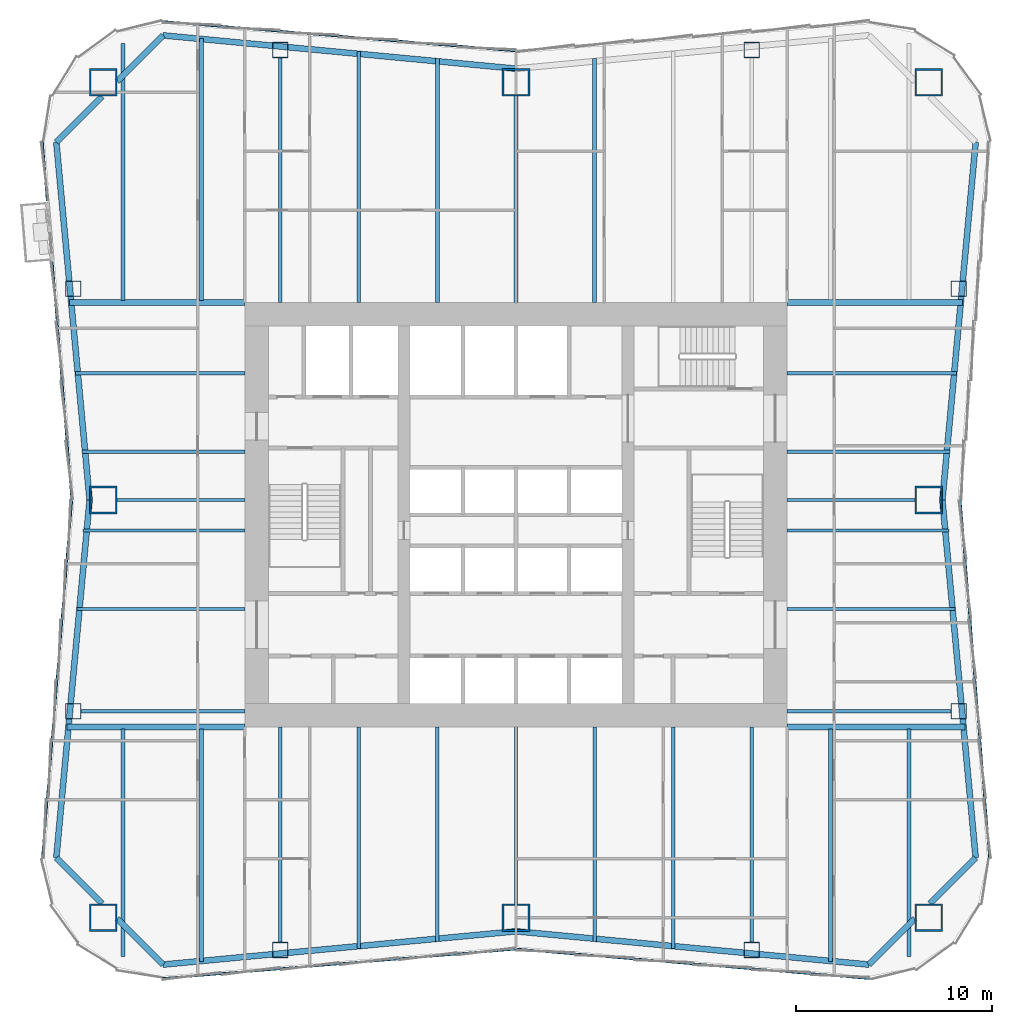
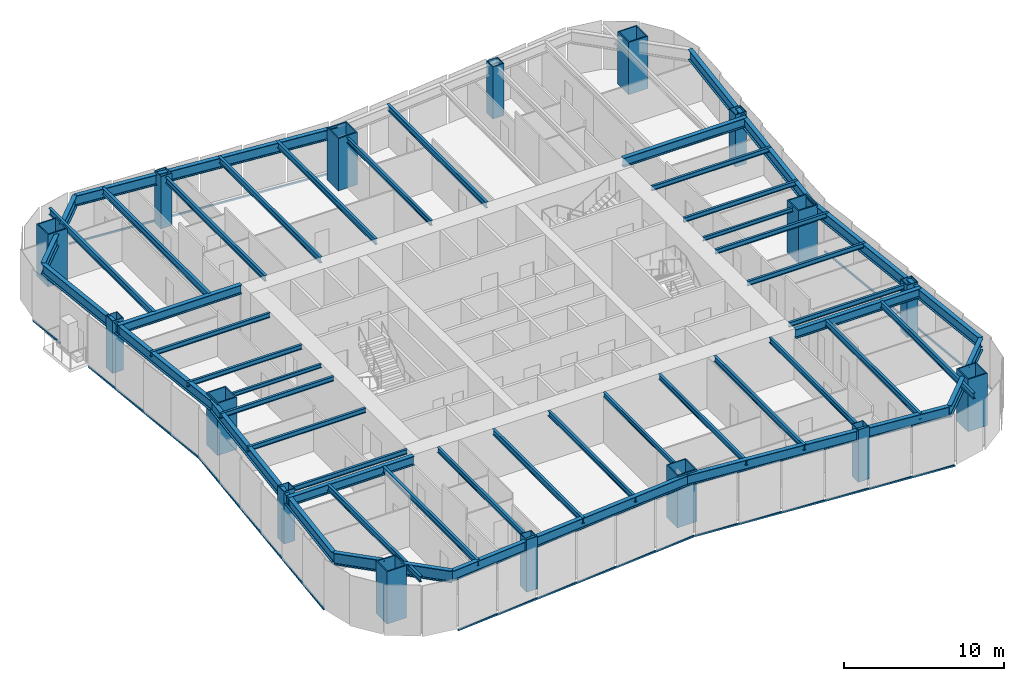
# One storey, part 1 of 9: 47 beams, 16 columns, 7 members, 4 elements without a shape of their own.
"""IFC4 building model written with IfcOpenShell, lengths in metres."""

from ifc_helpers import new_model, si_unit, direction, frame, origin, origin_2d, place, context, subcontext, project, spatial, rectangle, hollow_rectangle, i_section, extrude, material, material_profile, profile_set, type_object, element, aggregate, save


model = new_model("IFC4")

# Units and contexts
model_context = context("Model", 3, precision=1e-05, world=origin(), true_north=direction((0.0, 1.0)))
body_context = subcontext(model_context, "Body", "Model", "MODEL_VIEW")
ifc_project = project(units=[si_unit("LENGTHUNIT", "METRE"), si_unit("AREAUNIT", "SQUARE_METRE"), si_unit("VOLUMEUNIT", "CUBIC_METRE"), si_unit("PLANEANGLEUNIT", "RADIAN"), si_unit("MASSUNIT", "GRAM", prefix="KILO")], contexts=[model_context])

# Site, building, storey
site_placement = place(None, origin())
site = spatial("IfcSite", under=ifc_project, at=site_placement, CompositionType="ELEMENT")
building_placement = place(site_placement, origin())
building = spatial("IfcBuilding", under=site, at=building_placement, Name="Verdant Reach Tower", CompositionType="ELEMENT")
storey_placement = place(building_placement, frame((0.0, 0.0, 90.0)))
storey = spatial("IfcBuildingStorey", under=building, at=storey_placement, Name="L20", CompositionType="ELEMENT", Elevation=90.0)

# Columns
ifc_material_1 = material(Name="Steel S460", Category="steel")
ifc_material_profile_1 = material_profile(ifc_material_1, hollow_rectangle(XDim=1.39990234375, YDim=1.39990234375, WallThickness=0.080078125, at=origin_2d()), Name="WB 1400x1400x80")
ifc_profile_set_1 = profile_set([ifc_material_profile_1], Name="Steel S460")
column_type_1 = type_object("IfcColumnType", Name="ST-COL-WB1400x1400x80", PredefinedType="COLUMN", material=ifc_profile_set_1)
for number, where, z_axis, x_axis, name in (
    (1, (-21.0, 50.0, 0.0), (0.0, 0.0, 1.0), (1.0, 0.0, 0.0), "Mega column north-west, L20"),
    (2, (0.0, 50.0, 0.0), (0.0, 0.0, 1.0), (1.0, 0.0, 0.0), "Mega column north, L20"),
    (3, (21.0, 50.0, 0.0), (0.0, 0.0, 1.0), (1.0, 0.0, 0.0), "Mega column north-east, L20"),
    (4, (21.0, 28.75, 0.0), (0.0, 0.0, 1.0), (1.0, 0.0, 0.0), "Mega column east, L20"),
    (5, (21.0, 7.5, 0.0), (0.0, 0.0, 1.0), (1.0, 0.0, 0.0), "Mega column south-east, L20"),
    (6, (0.0, 7.5, 0.0), (0.0, 0.0, 1.0), (1.0, 0.0, 0.0), "Mega column south, L20"),
    (7, (-21.0, 7.5, 0.0), (0.0, 0.0, 1.0), (1.0, 0.0, 0.0), "Mega column south-west, L20"),
    (8, (-21.0, 28.75, 0.0), (0.0, 0.0, 1.0), (1.0, 0.0, 0.0), "Mega column west, L20"),
):
    element("IfcColumn", number, at=place(storey_placement, frame(where, z_axis=z_axis, x_axis=x_axis)), inside=storey, type_object=column_type_1, Name=name, PredefinedType="COLUMN", context=body_context, shape_type="SweptSolid", body=[
        extrude(hollow_rectangle(XDim=1.39990234375, YDim=1.39990234375, WallThickness=0.080078125, at=origin_2d()), origin(), (0.0, 0.0, 1.0), 4.0),
    ])
ifc_material_profile_2 = material_profile(ifc_material_1, hollow_rectangle(XDim=0.800048828125, YDim=0.800048828125, WallThickness=0.0400390625, at=origin_2d()), Name="WB 800x800x40")
ifc_profile_set_2 = profile_set([ifc_material_profile_2], Name="Steel S460")
column_type_2 = type_object("IfcColumnType", Name="ST-COL-WB800x800x40", PredefinedType="COLUMN", material=ifc_profile_set_2)
for number, where, z_axis, x_axis, name in (
    (9, (-12.0, 51.64990234375, 0.0), (0.0, 0.0, 1.0), (1.0, 0.0, 0.0), "Perimeter column north 1, L20"),
    (10, (12.0, 51.64990234375, 0.0), (0.0, 0.0, 1.0), (1.0, 0.0, 0.0), "Perimeter column north 2, L20"),
    (11, (-12.0, 5.85009765625, 0.0), (0.0, 0.0, 1.0), (1.0, 0.0, 0.0), "Perimeter column south 1, L20"),
    (12, (12.0, 5.85009765625, 0.0), (0.0, 0.0, 1.0), (1.0, 0.0, 0.0), "Perimeter column south 2, L20"),
    (13, (22.53369140625, 18.0, 0.0), (0.0, 0.0, 1.0), (1.0, 0.0, 0.0), "Perimeter column east 1, L20"),
    (14, (22.53369140625, 39.5, 0.0), (0.0, 0.0, 1.0), (1.0, 0.0, 0.0), "Perimeter column east 2, L20"),
    (15, (-22.53369140625, 18.0, 0.0), (0.0, 0.0, 1.0), (1.0, 0.0, 0.0), "Perimeter column west 1, L20"),
    (16, (-22.53369140625, 39.5, 0.0), (0.0, 0.0, 1.0), (1.0, 0.0, 0.0), "Perimeter column west 2, L20"),
):
    element("IfcColumn", number, at=place(storey_placement, frame(where, z_axis=z_axis, x_axis=x_axis)), inside=storey, type_object=column_type_2, Name=name, PredefinedType="COLUMN", context=body_context, shape_type="SweptSolid", body=[
        extrude(hollow_rectangle(XDim=0.800048828125, YDim=0.800048828125, WallThickness=0.0400390625, at=origin_2d()), origin(), (0.0, 0.0, 1.0), 4.0),
    ])

# Curtain wall, member
ifc_material_2 = material(Name="Anodised aluminium", Category="aluminium")
curtain_wall_type = type_object("IfcCurtainWallType", Name="EN-CW SYSTEM Z1", PredefinedType="NOTDEFINED", material=ifc_material_2)
curtain_wall_1_placement = place(storey_placement, origin())
curtain_wall_1 = element("IfcCurtainWall", 17, at=curtain_wall_1_placement, inside=storey, type_object=curtain_wall_type, Name="Curtain wall east, L20", PredefinedType="NOTDEFINED")
ifc_material_profile_3 = material_profile(ifc_material_2, rectangle(XDim=0.10009765625, YDim=0.1220703125, at=origin_2d()), Name="Transom 122x100")
ifc_profile_set_3 = profile_set([ifc_material_profile_3], Name="Anodised aluminium")
member_type = type_object("IfcMemberType", Name="EN-TRANSOM Z1", PredefinedType="USERDEFINED", material=ifc_profile_set_3)
member_1_placement = place(storey_placement, frame((24.100341796875, 10.52490234375, -0.2890625), z_axis=(-0.081886623329, 0.996641651207, 0.0), x_axis=(-0.996641651207, -0.081886623329, 0.0)))
member_1 = element("IfcMember", 18, at=member_1_placement, type_object=member_type, Name="Transom east face part 1 1.1, L20", ObjectType="TRANSOM", PredefinedType="USERDEFINED", context=body_context, shape_type="SweptSolid", body=[
    extrude(rectangle(XDim=0.10009765625, YDim=0.1220703125, at=origin_2d()), origin(), (0.0, 0.0, 1.0), 18.25537109375),
])
aggregate(curtain_wall_1, [member_1])

curtain_wall_2_placement = place(storey_placement, origin())
curtain_wall_2 = element("IfcCurtainWall", 19, at=curtain_wall_2_placement, inside=storey, type_object=curtain_wall_type, Name="Curtain wall north, L20", PredefinedType="NOTDEFINED")
member_2_placement = place(storey_placement, frame((-0.031005859375, 51.60546875, -0.2890625), z_axis=(-0.996547815143, 0.083020793384, 0.0), x_axis=(-0.083020793384, -0.996547815143, 0.0)))
member_2 = element("IfcMember", 20, at=member_2_placement, type_object=member_type, Name="Transom north face part 2 1.1, L20", ObjectType="TRANSOM", PredefinedType="USERDEFINED", context=body_context, shape_type="SweptSolid", body=[
    extrude(rectangle(XDim=0.10009765625, YDim=0.1220703125, at=origin_2d()), origin(), (0.0, 0.0, 1.0), 18.006103515625),
])
aggregate(curtain_wall_2, [member_2])

# Curtain wall, members
curtain_wall_3_placement = place(storey_placement, origin())
curtain_wall_3 = element("IfcCurtainWall", 21, at=curtain_wall_3_placement, inside=storey, type_object=curtain_wall_type, Name="Curtain wall west, L20", PredefinedType="NOTDEFINED")
member_3_placement = place(storey_placement, frame((-24.100341796875, 46.97509765625, -0.2890625), z_axis=(0.081586055135, -0.996666301029, 0.0), x_axis=(0.996666301029, 0.081586055135, 0.0)))
member_3 = element("IfcMember", 22, at=member_3_placement, type_object=member_type, Name="Transom west face part 1 1.1, L20", ObjectType="TRANSOM", PredefinedType="USERDEFINED", context=body_context, shape_type="SweptSolid", body=[
    extrude(rectangle(XDim=0.10009765625, YDim=0.1220703125, at=origin_2d()), origin(), (0.0, 0.0, 1.0), 3.00439453125),
])
member_4_placement = place(storey_placement, frame((-23.60009765625, 40.87744140625, -0.2890625), z_axis=(0.081948400518, -0.996636573507, 0.0), x_axis=(0.996636573507, 0.081948400518, 0.0)))
member_4 = element("IfcMember", 23, at=member_4_placement, type_object=member_type, Name="Transom west face part 1 2.1, L20", ObjectType="TRANSOM", PredefinedType="USERDEFINED", context=body_context, shape_type="SweptSolid", body=[
    extrude(rectangle(XDim=0.10009765625, YDim=0.1220703125, at=origin_2d()), origin(), (0.0, 0.0, 1.0), 12.13720703125),
])
member_5_placement = place(storey_placement, frame((-22.60546875, 28.718994140625, -0.2890625), z_axis=(-0.081886623329, -0.996641651207, 0.0), x_axis=(0.996641651207, -0.081886623329, 0.0)))
member_5 = element("IfcMember", 24, at=member_5_placement, type_object=member_type, Name="Transom west face part 2 1.1, L20", ObjectType="TRANSOM", PredefinedType="USERDEFINED", context=body_context, shape_type="SweptSolid", body=[
    extrude(rectangle(XDim=0.10009765625, YDim=0.1220703125, at=origin_2d()), origin(), (0.0, 0.0, 1.0), 18.25537109375),
])
aggregate(curtain_wall_3, [member_3, member_4, member_5])

curtain_wall_4_placement = place(storey_placement, origin())
curtain_wall_4 = element("IfcCurtainWall", 25, at=curtain_wall_4_placement, inside=storey, type_object=curtain_wall_type, Name="Curtain wall south, L20", PredefinedType="NOTDEFINED")
member_6_placement = place(storey_placement, frame((-17.974853515625, 4.399658203125, -0.2890625), z_axis=(0.996547815143, 0.083020793384, 0.0), x_axis=(-0.083020793384, 0.996547815143, 0.0)))
member_6 = element("IfcMember", 26, at=member_6_placement, type_object=member_type, Name="Transom south face part 1 1.1, L20", ObjectType="TRANSOM", PredefinedType="USERDEFINED", context=body_context, shape_type="SweptSolid", body=[
    extrude(rectangle(XDim=0.10009765625, YDim=0.1220703125, at=origin_2d()), origin(), (0.0, 0.0, 1.0), 18.006103515625),
])
member_7_placement = place(storey_placement, frame((0.031005859375, 5.89453125, -0.2890625), z_axis=(0.996547815143, -0.083020793384, 0.0), x_axis=(0.083020793384, 0.996547815143, 0.0)))
member_7 = element("IfcMember", 27, at=member_7_placement, type_object=member_type, Name="Transom south face part 2 1.1, L20", ObjectType="TRANSOM", PredefinedType="USERDEFINED", context=body_context, shape_type="SweptSolid", body=[
    extrude(rectangle(XDim=0.10009765625, YDim=0.1220703125, at=origin_2d()), origin(), (0.0, 0.0, 1.0), 18.006103515625),
])
aggregate(curtain_wall_4, [member_6, member_7])

# Beams
ifc_material_3 = material(Name="Steel S355", Category="steel")
ifc_material_profile_4 = material_profile(ifc_material_3, i_section(OverallWidth=0.300048828125, OverallDepth=0.699951171875, WebThickness=0.01708984375, FlangeThickness=0.031982421875, FilletRadius=0.027099609375, at=origin_2d()), Name="HEB 700")
ifc_profile_set_4 = profile_set([ifc_material_profile_4], Name="Steel S355")
beam_type_1 = type_object("IfcBeamType", Name="ST-BEAM-HEB700", PredefinedType="BEAM", material=ifc_profile_set_4)
for number, where, z_axis, x_axis, name in (
    (28, (13.800048828125, 38.800048828125, 3.52001953125), (1.0, 0.0, 0.0), (0.0, 1.0, 0.0), "Trimmer beam, L20"),
    (29, (-13.800048828125, 38.800048828125, 3.52001953125), (-1.0, 0.0, 0.0), (0.0, -1.0, 0.0), "Trimmer beam, L20"),
):
    element("IfcBeam", number, at=place(storey_placement, frame(where, z_axis=z_axis, x_axis=x_axis)), inside=storey, type_object=beam_type_1, Name=name, PredefinedType="BEAM", context=body_context, shape_type="SweptSolid", body=[
        extrude(i_section(OverallWidth=0.300048828125, OverallDepth=0.699951171875, WebThickness=0.01708984375, FlangeThickness=0.031982421875, FilletRadius=0.027099609375, at=origin_2d()), origin(), (0.0, 0.0, 1.0), 8.924072265625),
    ])
for number, where, z_axis, x_axis, name in (
    (30, (13.800048828125, 17.199951171875, 3.52001953125), (1.0, 0.0, 0.0), (0.0, 1.0, 0.0), "Trimmer beam, L20"),
    (31, (-13.800048828125, 17.199951171875, 3.52001953125), (-1.0, 0.0, 0.0), (0.0, -1.0, 0.0), "Trimmer beam, L20"),
):
    element("IfcBeam", number, at=place(storey_placement, frame(where, z_axis=z_axis, x_axis=x_axis)), inside=storey, type_object=beam_type_1, Name=name, PredefinedType="BEAM", context=body_context, shape_type="SweptSolid", body=[
        extrude(i_section(OverallWidth=0.300048828125, OverallDepth=0.699951171875, WebThickness=0.01708984375, FlangeThickness=0.031982421875, FilletRadius=0.027099609375, at=origin_2d()), origin(), (0.0, 0.0, 1.0), 9.04736328125),
    ])
ifc_material_profile_5 = material_profile(ifc_material_3, i_section(OverallWidth=0.14990234375, OverallDepth=0.300048828125, WebThickness=0.007080078125, FlangeThickness=0.0107421875, FilletRadius=0.014892578125, at=origin_2d()), Name="IPE 300")
ifc_profile_set_5 = profile_set([ifc_material_profile_5], Name="Steel S355")
beam_type_2 = type_object("IfcBeamType", Name="ST-JOIST-IPE300", PredefinedType="JOIST", material=ifc_profile_set_5)
for number, where, z_axis, x_axis, name in (
    (32, (13.800048828125, 28.75, 3.719970703125), (1.0, 0.0, 0.0), (0.0, 1.0, 0.0), "Floor joist, L20"),
    (33, (-13.800048828125, 28.75, 3.719970703125), (-1.0, 0.0, 0.0), (0.0, -1.0, 0.0), "Floor joist, L20"),
):
    element("IfcBeam", number, at=place(storey_placement, frame(where, z_axis=z_axis, x_axis=x_axis)), inside=storey, type_object=beam_type_2, Name=name, PredefinedType="JOIST", context=body_context, shape_type="SweptSolid", body=[
        extrude(i_section(OverallWidth=0.14990234375, OverallDepth=0.300048828125, WebThickness=0.007080078125, FlangeThickness=0.0107421875, FilletRadius=0.014892578125, at=origin_2d()), origin(), (0.0, 0.0, 1.0), 6.5),
    ])
ifc_material_profile_6 = material_profile(ifc_material_3, i_section(OverallWidth=0.169921875, OverallDepth=0.360107421875, WebThickness=0.008056640625, FlangeThickness=0.0126953125, FilletRadius=0.01806640625, at=origin_2d()), Name="IPE 360")
ifc_profile_set_6 = profile_set([ifc_material_profile_6], Name="Steel S355")
beam_type_3 = type_object("IfcBeamType", Name="ST-JOIST-IPE360", PredefinedType="JOIST", material=ifc_profile_set_6)
beam_1_placement = place(storey_placement, frame((0.0, 17.199951171875, 3.68994140625), z_axis=(0.0, -1.0, 0.0), x_axis=(1.0, 0.0, 0.0)))
element("IfcBeam", 34, at=beam_1_placement, inside=storey, type_object=beam_type_3, Name="Floor joist, L20", PredefinedType="JOIST", context=body_context, shape_type="SweptSolid", body=[
    extrude(i_section(OverallWidth=0.169921875, OverallDepth=0.360107421875, WebThickness=0.008056640625, FlangeThickness=0.0126953125, FilletRadius=0.01806640625, at=origin_2d()), origin(), (0.0, 0.0, 1.0), 9.0),
])
for number, where, z_axis, x_axis, name in (
    (35, (13.800048828125, 18.0, 3.68994140625), (1.0, 0.0, 0.0), (0.0, 1.0, 0.0), "Floor joist, L20"),
    (36, (-13.800048828125, 18.0, 3.68994140625), (-1.0, 0.0, 0.0), (0.0, -1.0, 0.0), "Floor joist, L20"),
):
    element("IfcBeam", number, at=place(storey_placement, frame(where, z_axis=z_axis, x_axis=x_axis)), inside=storey, type_object=beam_type_3, Name=name, PredefinedType="JOIST", context=body_context, shape_type="SweptSolid", body=[
        extrude(i_section(OverallWidth=0.169921875, OverallDepth=0.360107421875, WebThickness=0.008056640625, FlangeThickness=0.0126953125, FilletRadius=0.01806640625, at=origin_2d()), origin(), (0.0, 0.0, 1.0), 8.33349609375),
    ])
for number, where, z_axis, x_axis, name in (
    (37, (13.800048828125, 23.199951171875, 3.68994140625), (1.0, 0.0, 0.0), (0.0, 1.0, 0.0), "Floor joist, L20"),
    (38, (-13.800048828125, 23.199951171875, 3.68994140625), (-1.0, 0.0, 0.0), (0.0, -1.0, 0.0), "Floor joist, L20"),
):
    element("IfcBeam", number, at=place(storey_placement, frame(where, z_axis=z_axis, x_axis=x_axis)), inside=storey, type_object=beam_type_3, Name=name, PredefinedType="JOIST", context=body_context, shape_type="SweptSolid", body=[
        extrude(i_section(OverallWidth=0.169921875, OverallDepth=0.360107421875, WebThickness=0.008056640625, FlangeThickness=0.0126953125, FilletRadius=0.01806640625, at=origin_2d()), origin(), (0.0, 0.0, 1.0), 8.553955078125),
    ])
for number, where, z_axis, x_axis, name in (
    (39, (13.800048828125, 27.199951171875, 3.68994140625), (1.0, 0.0, 0.0), (0.0, 1.0, 0.0), "Floor joist, L20"),
    (40, (-13.800048828125, 27.199951171875, 3.68994140625), (-1.0, 0.0, 0.0), (0.0, -1.0, 0.0), "Floor joist, L20"),
):
    element("IfcBeam", number, at=place(storey_placement, frame(where, z_axis=z_axis, x_axis=x_axis)), inside=storey, type_object=beam_type_3, Name=name, PredefinedType="JOIST", context=body_context, shape_type="SweptSolid", body=[
        extrude(i_section(OverallWidth=0.169921875, OverallDepth=0.360107421875, WebThickness=0.008056640625, FlangeThickness=0.0126953125, FilletRadius=0.01806640625, at=origin_2d()), origin(), (0.0, 0.0, 1.0), 8.225341796875),
    ])
for number, where, z_axis, x_axis, name in (
    (41, (13.800048828125, 31.199951171875, 3.68994140625), (1.0, 0.0, 0.0), (0.0, 1.0, 0.0), "Floor joist, L20"),
    (42, (-13.800048828125, 31.199951171875, 3.68994140625), (-1.0, 0.0, 0.0), (0.0, -1.0, 0.0), "Floor joist, L20"),
):
    element("IfcBeam", number, at=place(storey_placement, frame(where, z_axis=z_axis, x_axis=x_axis)), inside=storey, type_object=beam_type_3, Name=name, PredefinedType="JOIST", context=body_context, shape_type="SweptSolid", body=[
        extrude(i_section(OverallWidth=0.169921875, OverallDepth=0.360107421875, WebThickness=0.008056640625, FlangeThickness=0.0126953125, FilletRadius=0.01806640625, at=origin_2d()), origin(), (0.0, 0.0, 1.0), 8.29931640625),
    ])
for number, where, z_axis, x_axis, name in (
    (43, (13.800048828125, 35.199951171875, 3.68994140625), (1.0, 0.0, 0.0), (0.0, 1.0, 0.0), "Floor joist, L20"),
    (44, (-13.800048828125, 35.199951171875, 3.68994140625), (-1.0, 0.0, 0.0), (0.0, -1.0, 0.0), "Floor joist, L20"),
):
    element("IfcBeam", number, at=place(storey_placement, frame(where, z_axis=z_axis, x_axis=x_axis)), inside=storey, type_object=beam_type_3, Name=name, PredefinedType="JOIST", context=body_context, shape_type="SweptSolid", body=[
        extrude(i_section(OverallWidth=0.169921875, OverallDepth=0.360107421875, WebThickness=0.008056640625, FlangeThickness=0.0126953125, FilletRadius=0.01806640625, at=origin_2d()), origin(), (0.0, 0.0, 1.0), 8.6279296875),
    ])
ifc_material_profile_7 = material_profile(ifc_material_3, i_section(OverallWidth=0.179931640625, OverallDepth=0.39990234375, WebThickness=0.008544921875, FlangeThickness=0.013427734375, FilletRadius=0.02099609375, at=origin_2d()), Name="IPE 400")
ifc_profile_set_7 = profile_set([ifc_material_profile_7], Name="Steel S355")
beam_type_4 = type_object("IfcBeamType", Name="ST-JOIST-IPE400", PredefinedType="JOIST", material=ifc_profile_set_7)
beam_2_placement = place(storey_placement, frame((-12.0, 17.199951171875, 3.669921875), z_axis=(0.0, -1.0, 0.0), x_axis=(1.0, 0.0, 0.0)))
element("IfcBeam", 45, at=beam_2_placement, inside=storey, type_object=beam_type_4, Name="Floor joist, L20", PredefinedType="JOIST", context=body_context, shape_type="SweptSolid", body=[
    extrude(i_section(OverallWidth=0.179931640625, OverallDepth=0.39990234375, WebThickness=0.008544921875, FlangeThickness=0.013427734375, FilletRadius=0.02099609375, at=origin_2d()), origin(), (0.0, 0.0, 1.0), 10.949951171875),
])
beam_3_placement = place(storey_placement, frame((-4.0, 17.199951171875, 3.669921875), z_axis=(0.0, -1.0, 0.0), x_axis=(1.0, 0.0, 0.0)))
element("IfcBeam", 46, at=beam_3_placement, inside=storey, type_object=beam_type_4, Name="Floor joist, L20", PredefinedType="JOIST", context=body_context, shape_type="SweptSolid", body=[
    extrude(i_section(OverallWidth=0.179931640625, OverallDepth=0.39990234375, WebThickness=0.008544921875, FlangeThickness=0.013427734375, FilletRadius=0.02099609375, at=origin_2d()), origin(), (0.0, 0.0, 1.0), 10.93115234375),
])
beam_4_placement = place(storey_placement, frame((0.0, 38.800048828125, 3.669921875), z_axis=(0.0, 1.0, 0.0), x_axis=(-1.0, 0.0, 0.0)))
element("IfcBeam", 47, at=beam_4_placement, inside=storey, type_object=beam_type_4, Name="Floor joist, L20", PredefinedType="JOIST", context=body_context, shape_type="SweptSolid", body=[
    extrude(i_section(OverallWidth=0.179931640625, OverallDepth=0.39990234375, WebThickness=0.008544921875, FlangeThickness=0.013427734375, FilletRadius=0.02099609375, at=origin_2d()), origin(), (0.0, 0.0, 1.0), 10.5),
])
beam_5_placement = place(storey_placement, frame((4.0, 17.199951171875, 3.669921875), z_axis=(0.0, -1.0, 0.0), x_axis=(1.0, 0.0, 0.0)))
element("IfcBeam", 48, at=beam_5_placement, inside=storey, type_object=beam_type_4, Name="Floor joist, L20", PredefinedType="JOIST", context=body_context, shape_type="SweptSolid", body=[
    extrude(i_section(OverallWidth=0.179931640625, OverallDepth=0.39990234375, WebThickness=0.008544921875, FlangeThickness=0.013427734375, FilletRadius=0.02099609375, at=origin_2d()), origin(), (0.0, 0.0, 1.0), 10.93115234375),
])
beam_6_placement = place(storey_placement, frame((12.0, 17.199951171875, 3.669921875), z_axis=(0.0, -1.0, 0.0), x_axis=(1.0, 0.0, 0.0)))
element("IfcBeam", 49, at=beam_6_placement, inside=storey, type_object=beam_type_4, Name="Floor joist, L20", PredefinedType="JOIST", context=body_context, shape_type="SweptSolid", body=[
    extrude(i_section(OverallWidth=0.179931640625, OverallDepth=0.39990234375, WebThickness=0.008544921875, FlangeThickness=0.013427734375, FilletRadius=0.02099609375, at=origin_2d()), origin(), (0.0, 0.0, 1.0), 10.949951171875),
])
ifc_material_profile_8 = material_profile(ifc_material_3, i_section(OverallWidth=0.18994140625, OverallDepth=0.449951171875, WebThickness=0.009521484375, FlangeThickness=0.0146484375, FilletRadius=0.02099609375, at=origin_2d()), Name="IPE 450")
ifc_profile_set_8 = profile_set([ifc_material_profile_8], Name="Steel S355")
beam_type_5 = type_object("IfcBeamType", Name="ST-JOIST-IPE450", PredefinedType="JOIST", material=ifc_profile_set_8)
beam_7_placement = place(storey_placement, frame((-20.0, 17.10009765625, 3.64501953125), z_axis=(0.0, -1.0, 0.0), x_axis=(1.0, 0.0, 0.0)))
element("IfcBeam", 50, at=beam_7_placement, inside=storey, type_object=beam_type_5, Name="Floor joist, L20", PredefinedType="JOIST", context=body_context, shape_type="SweptSolid", body=[
    extrude(i_section(OverallWidth=0.18994140625, OverallDepth=0.449951171875, WebThickness=0.009521484375, FlangeThickness=0.0146484375, FilletRadius=0.02099609375, at=origin_2d()), origin(), (0.0, 0.0, 1.0), 11.590576171875),
])
beam_8_placement = place(storey_placement, frame((-16.0, 17.10009765625, 3.64501953125), z_axis=(0.0, -1.0, 0.0), x_axis=(1.0, 0.0, 0.0)))
element("IfcBeam", 51, at=beam_8_placement, inside=storey, type_object=beam_type_5, Name="Floor joist, L20", PredefinedType="JOIST", context=body_context, shape_type="SweptSolid", body=[
    extrude(i_section(OverallWidth=0.18994140625, OverallDepth=0.449951171875, WebThickness=0.009521484375, FlangeThickness=0.0146484375, FilletRadius=0.02099609375, at=origin_2d()), origin(), (0.0, 0.0, 1.0), 11.831298828125),
])
beam_9_placement = place(storey_placement, frame((-12.0, 38.800048828125, 3.64501953125), z_axis=(0.0, 1.0, 0.0), x_axis=(-1.0, 0.0, 0.0)))
element("IfcBeam", 52, at=beam_9_placement, inside=storey, type_object=beam_type_5, Name="Floor joist, L20", PredefinedType="JOIST", context=body_context, shape_type="SweptSolid", body=[
    extrude(i_section(OverallWidth=0.18994140625, OverallDepth=0.449951171875, WebThickness=0.009521484375, FlangeThickness=0.0146484375, FilletRadius=0.02099609375, at=origin_2d()), origin(), (0.0, 0.0, 1.0), 12.449951171875),
])
beam_10_placement = place(storey_placement, frame((-8.0, 38.800048828125, 3.64501953125), z_axis=(0.0, 1.0, 0.0), x_axis=(-1.0, 0.0, 0.0)))
element("IfcBeam", 53, at=beam_10_placement, inside=storey, type_object=beam_type_5, Name="Floor joist, L20", PredefinedType="JOIST", context=body_context, shape_type="SweptSolid", body=[
    extrude(i_section(OverallWidth=0.18994140625, OverallDepth=0.449951171875, WebThickness=0.009521484375, FlangeThickness=0.0146484375, FilletRadius=0.02099609375, at=origin_2d()), origin(), (0.0, 0.0, 1.0), 12.7646484375),
])
beam_11_placement = place(storey_placement, frame((-8.0, 17.199951171875, 3.64501953125), z_axis=(0.0, -1.0, 0.0), x_axis=(1.0, 0.0, 0.0)))
element("IfcBeam", 54, at=beam_11_placement, inside=storey, type_object=beam_type_5, Name="Floor joist, L20", PredefinedType="JOIST", context=body_context, shape_type="SweptSolid", body=[
    extrude(i_section(OverallWidth=0.18994140625, OverallDepth=0.449951171875, WebThickness=0.009521484375, FlangeThickness=0.0146484375, FilletRadius=0.02099609375, at=origin_2d()), origin(), (0.0, 0.0, 1.0), 11.2646484375),
])
for number, where, z_axis, x_axis, name in (
    (55, (-4.0, 38.800048828125, 3.64501953125), (0.0, 1.0, 0.0), (-1.0, 0.0, 0.0), "Floor joist, L20"),
    (56, (4.0, 38.800048828125, 3.64501953125), (0.0, 1.0, 0.0), (-1.0, 0.0, 0.0), "Floor joist, L20"),
):
    element("IfcBeam", number, at=place(storey_placement, frame(where, z_axis=z_axis, x_axis=x_axis)), inside=storey, type_object=beam_type_5, Name=name, PredefinedType="JOIST", context=body_context, shape_type="SweptSolid", body=[
        extrude(i_section(OverallWidth=0.18994140625, OverallDepth=0.449951171875, WebThickness=0.009521484375, FlangeThickness=0.0146484375, FilletRadius=0.02099609375, at=origin_2d()), origin(), (0.0, 0.0, 1.0), 12.43115234375),
    ])
beam_12_placement = place(storey_placement, frame((8.0, 17.199951171875, 3.64501953125), z_axis=(0.0, -1.0, 0.0), x_axis=(1.0, 0.0, 0.0)))
element("IfcBeam", 57, at=beam_12_placement, inside=storey, type_object=beam_type_5, Name="Floor joist, L20", PredefinedType="JOIST", context=body_context, shape_type="SweptSolid", body=[
    extrude(i_section(OverallWidth=0.18994140625, OverallDepth=0.449951171875, WebThickness=0.009521484375, FlangeThickness=0.0146484375, FilletRadius=0.02099609375, at=origin_2d()), origin(), (0.0, 0.0, 1.0), 11.2646484375),
])
beam_13_placement = place(storey_placement, frame((16.0, 17.10009765625, 3.64501953125), z_axis=(0.0, -1.0, 0.0), x_axis=(1.0, 0.0, 0.0)))
element("IfcBeam", 58, at=beam_13_placement, inside=storey, type_object=beam_type_5, Name="Floor joist, L20", PredefinedType="JOIST", context=body_context, shape_type="SweptSolid", body=[
    extrude(i_section(OverallWidth=0.18994140625, OverallDepth=0.449951171875, WebThickness=0.009521484375, FlangeThickness=0.0146484375, FilletRadius=0.02099609375, at=origin_2d()), origin(), (0.0, 0.0, 1.0), 11.831298828125),
])
beam_14_placement = place(storey_placement, frame((20.0, 17.10009765625, 3.64501953125), z_axis=(0.0, -1.0, 0.0), x_axis=(1.0, 0.0, 0.0)))
element("IfcBeam", 59, at=beam_14_placement, inside=storey, type_object=beam_type_5, Name="Floor joist, L20", PredefinedType="JOIST", context=body_context, shape_type="SweptSolid", body=[
    extrude(i_section(OverallWidth=0.18994140625, OverallDepth=0.449951171875, WebThickness=0.009521484375, FlangeThickness=0.0146484375, FilletRadius=0.02099609375, at=origin_2d()), origin(), (0.0, 0.0, 1.0), 11.590576171875),
])
ifc_material_profile_9 = material_profile(ifc_material_3, i_section(OverallWidth=0.199951171875, OverallDepth=0.5, WebThickness=0.01025390625, FlangeThickness=0.01611328125, FilletRadius=0.02099609375, at=origin_2d()), Name="IPE 500")
ifc_profile_set_9 = profile_set([ifc_material_profile_9], Name="Steel S355")
beam_type_6 = type_object("IfcBeamType", Name="ST-JOIST-IPE500", PredefinedType="JOIST", material=ifc_profile_set_9)
beam_15_placement = place(storey_placement, frame((-20.0, 38.89990234375, 3.6201171875), z_axis=(0.0, 1.0, 0.0), x_axis=(-1.0, 0.0, 0.0)))
element("IfcBeam", 60, at=beam_15_placement, inside=storey, type_object=beam_type_6, Name="Floor joist, L20", PredefinedType="JOIST", context=body_context, shape_type="SweptSolid", body=[
    extrude(i_section(OverallWidth=0.199951171875, OverallDepth=0.5, WebThickness=0.01025390625, FlangeThickness=0.01611328125, FilletRadius=0.02099609375, at=origin_2d()), origin(), (0.0, 0.0, 1.0), 13.090576171875),
])
beam_16_placement = place(storey_placement, frame((-16.0, 38.89990234375, 3.6201171875), z_axis=(0.0, 1.0, 0.0), x_axis=(-1.0, 0.0, 0.0)))
element("IfcBeam", 61, at=beam_16_placement, inside=storey, type_object=beam_type_6, Name="Floor joist, L20", PredefinedType="JOIST", context=body_context, shape_type="SweptSolid", body=[
    extrude(i_section(OverallWidth=0.199951171875, OverallDepth=0.5, WebThickness=0.01025390625, FlangeThickness=0.01611328125, FilletRadius=0.02099609375, at=origin_2d()), origin(), (0.0, 0.0, 1.0), 13.331298828125),
])
ifc_material_profile_10 = material_profile(ifc_material_3, i_section(OverallWidth=0.300048828125, OverallDepth=0.800048828125, WebThickness=0.017578125, FlangeThickness=0.032958984375, FilletRadius=0.030029296875, at=origin_2d()), Name="HEB 800")
ifc_profile_set_10 = profile_set([ifc_material_profile_10], Name="Steel S355")
beam_type_7 = type_object("IfcBeamType", Name="ST-SPANDREL-HEB800", PredefinedType="SPANDREL", material=ifc_profile_set_10)
for number, where, z_axis, x_axis, name in (
    (62, (17.9658203125, 5.10498046875, 3.469970703125), (-0.995578571765, 0.093932462137, 0.0), (-0.093932462137, -0.995578571765, 0.0), "Edge beam, L20"),
    (63, (0.0, 6.800048828125, 3.469970703125), (-0.995578571765, -0.093932462137, 0.0), (0.093932462137, -0.995578571765, 0.0), "Edge beam, L20"),
):
    element("IfcBeam", number, at=place(storey_placement, frame(where, z_axis=z_axis, x_axis=x_axis)), inside=storey, type_object=beam_type_7, Name=name, PredefinedType="SPANDREL", context=body_context, shape_type="SweptSolid", body=[
        extrude(i_section(OverallWidth=0.300048828125, OverallDepth=0.800048828125, WebThickness=0.017578125, FlangeThickness=0.032958984375, FilletRadius=0.030029296875, at=origin_2d()), origin(), (0.0, 0.0, 1.0), 18.045654296875),
    ])
for number, where, z_axis, x_axis, name in (
    (64, (-23.39501953125, 10.53466796875, 3.469970703125), (0.092656907618, 0.995698095544, 0.0), (-0.995698095544, 0.092656907618, 0.0), "Edge beam, L20"),
    (65, (-21.699951171875, 28.75, 3.469970703125), (-0.092656907618, 0.995698095544, 0.0), (-0.995698095544, -0.092656907618, 0.0), "Edge beam, L20"),
):
    element("IfcBeam", number, at=place(storey_placement, frame(where, z_axis=z_axis, x_axis=x_axis)), inside=storey, type_object=beam_type_7, Name=name, PredefinedType="SPANDREL", context=body_context, shape_type="SweptSolid", body=[
        extrude(i_section(OverallWidth=0.300048828125, OverallDepth=0.800048828125, WebThickness=0.017578125, FlangeThickness=0.032958984375, FilletRadius=0.030029296875, at=origin_2d()), origin(), (0.0, 0.0, 1.0), 18.2939453125),
    ])
beam_17_placement = place(storey_placement, frame((-17.9658203125, 52.39501953125, 3.469970703125), z_axis=(0.995578571765, -0.093932462137, 0.0), x_axis=(0.093932462137, 0.995578571765, 0.0)))
element("IfcBeam", 66, at=beam_17_placement, inside=storey, type_object=beam_type_7, Name="Edge beam, L20", PredefinedType="SPANDREL", context=body_context, shape_type="SweptSolid", body=[
    extrude(i_section(OverallWidth=0.300048828125, OverallDepth=0.800048828125, WebThickness=0.017578125, FlangeThickness=0.032958984375, FilletRadius=0.030029296875, at=origin_2d()), origin(), (0.0, 0.0, 1.0), 18.045654296875),
])
for number, where, z_axis, x_axis, name in (
    (67, (23.39501953125, 46.96533203125, 3.469970703125), (-0.092656907618, -0.995698095544, 0.0), (0.995698095544, -0.092656907618, 0.0), "Edge beam, L20"),
    (68, (21.699951171875, 28.75, 3.469970703125), (0.092656907618, -0.995698095544, 0.0), (0.995698095544, 0.092656907618, 0.0), "Edge beam, L20"),
):
    element("IfcBeam", number, at=place(storey_placement, frame(where, z_axis=z_axis, x_axis=x_axis)), inside=storey, type_object=beam_type_7, Name=name, PredefinedType="SPANDREL", context=body_context, shape_type="SweptSolid", body=[
        extrude(i_section(OverallWidth=0.300048828125, OverallDepth=0.800048828125, WebThickness=0.017578125, FlangeThickness=0.032958984375, FilletRadius=0.030029296875, at=origin_2d()), origin(), (0.0, 0.0, 1.0), 18.2939453125),
    ])
ifc_material_profile_11 = material_profile(ifc_material_3, i_section(OverallWidth=0.302001953125, OverallDepth=0.909912109375, WebThickness=0.02099609375, FlangeThickness=0.0400390625, FilletRadius=0.030029296875, at=origin_2d()), Name="HEM 900")
ifc_profile_set_11 = profile_set([ifc_material_profile_11], Name="Steel S355")
beam_type_8 = type_object("IfcBeamType", Name="ST-SPANDREL-HEM900", PredefinedType="SPANDREL", material=ifc_profile_set_11)
beam_18_placement = place(storey_placement, frame((-17.9658203125, 5.10498046875, 3.4150390625), z_axis=(-0.707106781187, 0.707106781187, 0.0), x_axis=(-0.707106781187, -0.707106781187, 0.0)))
element("IfcBeam", 69, at=beam_18_placement, inside=storey, type_object=beam_type_8, Name="Edge beam, L20", PredefinedType="SPANDREL", context=body_context, shape_type="SweptSolid", body=[
    extrude(i_section(OverallWidth=0.302001953125, OverallDepth=0.909912109375, WebThickness=0.02099609375, FlangeThickness=0.0400390625, FilletRadius=0.030029296875, at=origin_2d()), origin(), (0.0, 0.0, 1.0), 3.301025390625),
])
for number, where, z_axis, x_axis, name in (
    (70, (-21.060546875, 8.199951171875, 3.4150390625), (-0.707069807316, 0.707143753123, 0.0), (-0.707143753123, -0.707069807316, 0.0), "Edge beam, L20"),
    (71, (-23.39501953125, 46.96533203125, 3.4150390625), (0.707069807316, 0.707143753123, 0.0), (-0.707143753123, 0.707069807316, 0.0), "Edge beam, L20"),
):
    element("IfcBeam", number, at=place(storey_placement, frame(where, z_axis=z_axis, x_axis=x_axis)), inside=storey, type_object=beam_type_8, Name=name, PredefinedType="SPANDREL", context=body_context, shape_type="SweptSolid", body=[
        extrude(i_section(OverallWidth=0.302001953125, OverallDepth=0.909912109375, WebThickness=0.02099609375, FlangeThickness=0.0400390625, FilletRadius=0.030029296875, at=origin_2d()), origin(), (0.0, 0.0, 1.0), 3.301513671875),
    ])
beam_19_placement = place(storey_placement, frame((-20.300048828125, 50.060791015625, 3.4150390625), z_axis=(0.707106781187, 0.707106781187, 0.0), x_axis=(-0.707106781187, 0.707106781187, 0.0)))
element("IfcBeam", 72, at=beam_19_placement, inside=storey, type_object=beam_type_8, Name="Edge beam, L20", PredefinedType="SPANDREL", context=body_context, shape_type="SweptSolid", body=[
    extrude(i_section(OverallWidth=0.302001953125, OverallDepth=0.909912109375, WebThickness=0.02099609375, FlangeThickness=0.0400390625, FilletRadius=0.030029296875, at=origin_2d()), origin(), (0.0, 0.0, 1.0), 3.301025390625),
])
beam_20_placement = place(storey_placement, frame((23.39501953125, 10.53466796875, 3.4150390625), z_axis=(-0.707069807316, -0.707143753123, 0.0), x_axis=(0.707143753123, -0.707069807316, 0.0)))
element("IfcBeam", 73, at=beam_20_placement, inside=storey, type_object=beam_type_8, Name="Edge beam, L20", PredefinedType="SPANDREL", context=body_context, shape_type="SweptSolid", body=[
    extrude(i_section(OverallWidth=0.302001953125, OverallDepth=0.909912109375, WebThickness=0.02099609375, FlangeThickness=0.0400390625, FilletRadius=0.030029296875, at=origin_2d()), origin(), (0.0, 0.0, 1.0), 3.301513671875),
])
beam_21_placement = place(storey_placement, frame((20.300048828125, 7.439208984375, 3.4150390625), z_axis=(-0.707106781187, -0.707106781187, 0.0), x_axis=(0.707106781187, -0.707106781187, 0.0)))
element("IfcBeam", 74, at=beam_21_placement, inside=storey, type_object=beam_type_8, Name="Edge beam, L20", PredefinedType="SPANDREL", context=body_context, shape_type="SweptSolid", body=[
    extrude(i_section(OverallWidth=0.302001953125, OverallDepth=0.909912109375, WebThickness=0.02099609375, FlangeThickness=0.0400390625, FilletRadius=0.030029296875, at=origin_2d()), origin(), (0.0, 0.0, 1.0), 3.301025390625),
])

save(model, "model.ifc")
